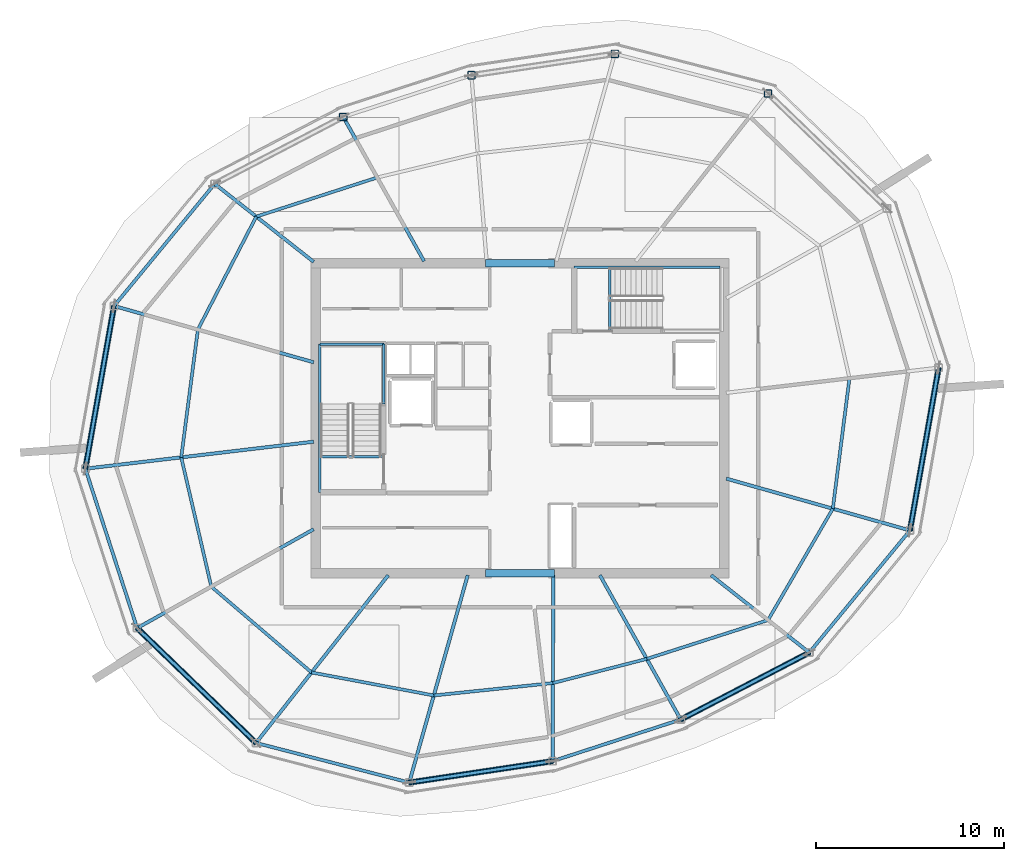
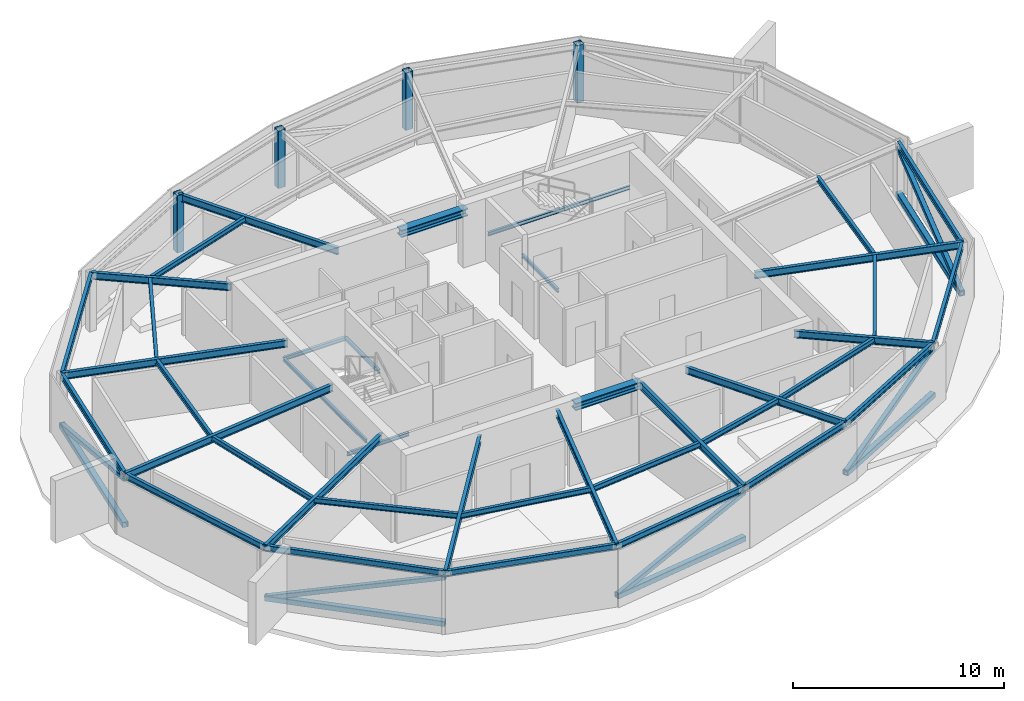
# One storey, part 4 of 10: 40 beams, 10 members, 4 columns.
"""IFC4 building model written with IfcOpenShell, lengths in metres."""

from ifc_helpers import new_model, si_unit, direction, frame, origin, origin_2d, place, context, subcontext, project, spatial, hollow_rectangle, i_section, extrude, material, material_profile, profile_set, type_object, element, save


model = new_model("IFC4")

# Units and contexts
model_context = context("Model", 3, precision=1e-05, world=origin(), true_north=direction((0.0, 1.0)))
body_context = subcontext(model_context, "Body", "Model", "MODEL_VIEW")
ifc_project = project(units=[si_unit("LENGTHUNIT", "METRE"), si_unit("AREAUNIT", "SQUARE_METRE"), si_unit("VOLUMEUNIT", "CUBIC_METRE"), si_unit("PLANEANGLEUNIT", "RADIAN"), si_unit("MASSUNIT", "GRAM", prefix="KILO")], contexts=[model_context])

# Site, building, storey
site_placement = place(None, origin())
site = spatial("IfcSite", under=ifc_project, at=site_placement, CompositionType="ELEMENT")
building_placement = place(site_placement, origin())
building = spatial("IfcBuilding", under=site, at=building_placement, Name="Kazma Halo Residences", CompositionType="ELEMENT")
storey_placement = place(building_placement, frame((0.0, 0.0, 359.60009765625)))
storey = spatial("IfcBuildingStorey", under=building, at=storey_placement, Name="L90", CompositionType="ELEMENT", Elevation=359.60009765625)

# Columns
ifc_material = material(Name="Steel S355", Category="steel")
ifc_material_profile_1 = material_profile(ifc_material, hollow_rectangle(XDim=0.39990234375, YDim=0.39990234375, WallThickness=0.02001953125, InnerFilletRadius=0.02001953125, OuterFilletRadius=0.0400390625, at=origin_2d()), Name="SHS400x400x20")
ifc_profile_set_1 = profile_set([ifc_material_profile_1], Name="Steel S355")
column_type = type_object("IfcColumnType", Name="COL-CROWN-SHS400", PredefinedType="COLUMN", material=ifc_profile_set_1)
for number, where, z_axis, x_axis, name in (
    (1, (61.617431640625, 59.273681640625, 0.0), (0.0, 0.0, 1.0), (1.0, 0.0, 0.0), "L90 CROWN FRAME perimeter column P02"),
    (2, (53.46630859375, 61.38232421875, 0.0), (0.0, 0.0, 1.0), (1.0, 0.0, 0.0), "L90 CROWN FRAME perimeter column P03"),
    (3, (45.8408203125, 60.24365234375, 0.0), (0.0, 0.0, 1.0), (1.0, 0.0, 0.0), "L90 CROWN FRAME perimeter column P04"),
    (4, (39.0234375, 58.02880859375, 0.0), (0.0, 0.0, 1.0), (1.0, 0.0, 0.0), "L90 CROWN FRAME perimeter column P05"),
):
    element("IfcColumn", number, at=place(storey_placement, frame(where, z_axis=z_axis, x_axis=x_axis)), inside=storey, type_object=column_type, Name=name, PredefinedType="COLUMN", context=body_context, shape_type="SweptSolid", body=[
        extrude(hollow_rectangle(XDim=0.39990234375, YDim=0.39990234375, WallThickness=0.02001953125, InnerFilletRadius=0.02001953125, OuterFilletRadius=0.0400390625, at=origin_2d()), origin(), (0.0, 0.0, 1.0), 3.31982421875),
    ])

# Beams
ifc_material_profile_2 = material_profile(ifc_material, i_section(OverallWidth=0.408935546875, OverallDepth=0.425048828125, WebThickness=0.03271484375, FlangeThickness=0.052490234375, FilletRadius=0.02001953125, at=origin_2d()), Name="W360x421")
ifc_profile_set_2 = profile_set([ifc_material_profile_2], Name="Steel S355")
beam_type_1 = type_object("IfcBeamType", Name="BM-CORE-W360H", PredefinedType="BEAM", material=ifc_profile_set_2)
for number, where, z_axis, x_axis, name in (
    (5, (46.60009765625, 33.75, 3.107421875), (1.0, 0.0, 0.0), (0.0, 1.0, 0.0), "L90 core coupling beam S"),
    (6, (46.60009765625, 50.25, 3.107421875), (1.0, 0.0, 0.0), (0.0, 1.0, 0.0), "L90 core coupling beam N"),
):
    element("IfcBeam", number, at=place(storey_placement, frame(where, z_axis=z_axis, x_axis=x_axis)), inside=storey, type_object=beam_type_1, Name=name, PredefinedType="BEAM", context=body_context, shape_type="SweptSolid", body=[
        extrude(i_section(OverallWidth=0.408935546875, OverallDepth=0.425048828125, WebThickness=0.03271484375, FlangeThickness=0.052490234375, FilletRadius=0.02001953125, at=origin_2d()), origin(), (0.0, 0.0, 1.0), 3.64990234375),
    ])
ifc_material_profile_3 = material_profile(ifc_material, i_section(OverallWidth=0.177978515625, OverallDepth=0.406982421875, WebThickness=0.0078125, FlangeThickness=0.0126953125, FilletRadius=0.013916015625, at=origin_2d()), Name="W410x60")
ifc_profile_set_3 = profile_set([ifc_material_profile_3], Name="Steel S355")
beam_type_2 = type_object("IfcBeamType", Name="BM-RAD-W410", PredefinedType="BEAM", material=ifc_profile_set_3)
beam_1_placement = place(storey_placement, frame((43.32373046875, 50.35009765625, 3.116455078125), z_axis=(-0.488621952621, 0.872495608824, 0.0), x_axis=(-0.872495608824, -0.488621952621, 0.0)))
element("IfcBeam", 7, at=beam_1_placement, inside=storey, type_object=beam_type_2, Name="L90 radial floor beam 05", PredefinedType="BEAM", context=body_context, shape_type="SweptSolid", body=[
    extrude(i_section(OverallWidth=0.177978515625, OverallDepth=0.406982421875, WebThickness=0.0078125, FlangeThickness=0.0126953125, FilletRadius=0.013916015625, at=origin_2d()), origin(), (0.0, 0.0, 1.0), 8.80078125),
])
beam_2_placement = place(storey_placement, frame((37.449951171875, 50.31689453125, 3.116455078125), z_axis=(-0.785321596803, 0.619088030569, 0.0), x_axis=(-0.619088030569, -0.785321596803, 0.0)))
element("IfcBeam", 8, at=beam_2_placement, inside=storey, type_object=beam_type_2, Name="L90 radial floor beam 06", PredefinedType="BEAM", context=body_context, shape_type="SweptSolid", body=[
    extrude(i_section(OverallWidth=0.177978515625, OverallDepth=0.406982421875, WebThickness=0.0078125, FlangeThickness=0.0126953125, FilletRadius=0.013916015625, at=origin_2d()), origin(), (0.0, 0.0, 1.0), 6.704345703125),
])
beam_3_placement = place(storey_placement, frame((37.449951171875, 44.975341796875, 3.116455078125), z_axis=(-0.962455160106, 0.271440720572, 0.0), x_axis=(-0.271440720572, -0.962455160106, 0.0)))
element("IfcBeam", 9, at=beam_3_placement, inside=storey, type_object=beam_type_2, Name="L90 radial floor beam 07", PredefinedType="BEAM", context=body_context, shape_type="SweptSolid", body=[
    extrude(i_section(OverallWidth=0.177978515625, OverallDepth=0.406982421875, WebThickness=0.0078125, FlangeThickness=0.0126953125, FilletRadius=0.013916015625, at=origin_2d()), origin(), (0.0, 0.0, 1.0), 11.0341796875),
])
beam_4_placement = place(storey_placement, frame((37.449951171875, 40.751220703125, 3.116455078125), z_axis=(-0.993069432883, -0.117529151591, 0.0), x_axis=(0.117529151591, -0.993069432883, 0.0)))
element("IfcBeam", 10, at=beam_4_placement, inside=storey, type_object=beam_type_2, Name="L90 radial floor beam 08", PredefinedType="BEAM", context=body_context, shape_type="SweptSolid", body=[
    extrude(i_section(OverallWidth=0.177978515625, OverallDepth=0.406982421875, WebThickness=0.0078125, FlangeThickness=0.0126953125, FilletRadius=0.013916015625, at=origin_2d()), origin(), (0.0, 0.0, 1.0), 12.23095703125),
])
beam_5_placement = place(storey_placement, frame((37.449951171875, 36.091796875, 3.116455078125), z_axis=(-0.872494798344, -0.488623399832, 0.0), x_axis=(0.488623399832, -0.872494798344, 0.0)))
element("IfcBeam", 11, at=beam_5_placement, inside=storey, type_object=beam_type_2, Name="L90 radial floor beam 09", PredefinedType="BEAM", context=body_context, shape_type="SweptSolid", body=[
    extrude(i_section(OverallWidth=0.177978515625, OverallDepth=0.406982421875, WebThickness=0.0078125, FlangeThickness=0.0126953125, FilletRadius=0.013916015625, at=origin_2d()), origin(), (0.0, 0.0, 1.0), 10.762939453125),
])
beam_6_placement = place(storey_placement, frame((41.41748046875, 33.64990234375, 3.116455078125), z_axis=(-0.619100773028, -0.785311551447, 0.0), x_axis=(0.785311551447, -0.619100773028, 0.0)))
element("IfcBeam", 12, at=beam_6_placement, inside=storey, type_object=beam_type_2, Name="L90 radial floor beam 10", PredefinedType="BEAM", context=body_context, shape_type="SweptSolid", body=[
    extrude(i_section(OverallWidth=0.177978515625, OverallDepth=0.406982421875, WebThickness=0.0078125, FlangeThickness=0.0126953125, FilletRadius=0.013916015625, at=origin_2d()), origin(), (0.0, 0.0, 1.0), 11.363037109375),
])
beam_7_placement = place(storey_placement, frame((45.64501953125, 33.64990234375, 3.116455078125), z_axis=(-0.271433859027, -0.962457095238, 0.0), x_axis=(0.962457095238, -0.271433859027, 0.0)))
element("IfcBeam", 13, at=beam_7_placement, inside=storey, type_object=beam_type_2, Name="L90 radial floor beam 11", PredefinedType="BEAM", context=body_context, shape_type="SweptSolid", body=[
    extrude(i_section(OverallWidth=0.177978515625, OverallDepth=0.406982421875, WebThickness=0.0078125, FlangeThickness=0.0126953125, FilletRadius=0.013916015625, at=origin_2d()), origin(), (0.0, 0.0, 1.0), 11.462646484375),
])
beam_8_placement = place(storey_placement, frame((50.199951171875, 33.64990234375, 3.116455078125), z_axis=(-0.004120979715, -0.999991508727, 0.0), x_axis=(0.999991508727, -0.004120979715, 0.0)))
element("IfcBeam", 14, at=beam_8_placement, inside=storey, type_object=beam_type_2, Name="L90 radial floor beam 12", PredefinedType="BEAM", context=body_context, shape_type="SweptSolid", body=[
    extrude(i_section(OverallWidth=0.177978515625, OverallDepth=0.406982421875, WebThickness=0.0078125, FlangeThickness=0.0126953125, FilletRadius=0.013916015625, at=origin_2d()), origin(), (0.0, 0.0, 1.0), 9.8935546875),
])
beam_9_placement = place(storey_placement, frame((52.67626953125, 33.64990234375, 3.116455078125), z_axis=(0.488621952621, -0.872495608824, 0.0), x_axis=(0.872495608824, 0.488621952621, 0.0)))
element("IfcBeam", 15, at=beam_9_placement, inside=storey, type_object=beam_type_2, Name="L90 radial floor beam 13", PredefinedType="BEAM", context=body_context, shape_type="SweptSolid", body=[
    extrude(i_section(OverallWidth=0.177978515625, OverallDepth=0.406982421875, WebThickness=0.0078125, FlangeThickness=0.0126953125, FilletRadius=0.013916015625, at=origin_2d()), origin(), (0.0, 0.0, 1.0), 8.80078125),
])
beam_10_placement = place(storey_placement, frame((58.591796875, 33.64990234375, 3.116455078125), z_axis=(0.785342950436, -0.619060942234, 0.0), x_axis=(0.619060942234, 0.785342950436, 0.0)))
element("IfcBeam", 16, at=beam_10_placement, inside=storey, type_object=beam_type_2, Name="L90 radial floor beam 14", PredefinedType="BEAM", context=body_context, shape_type="SweptSolid", body=[
    extrude(i_section(OverallWidth=0.177978515625, OverallDepth=0.406982421875, WebThickness=0.0078125, FlangeThickness=0.0126953125, FilletRadius=0.013916015625, at=origin_2d()), origin(), (0.0, 0.0, 1.0), 6.651123046875),
])
beam_11_placement = place(storey_placement, frame((59.39990234375, 38.784912109375, 3.116455078125), z_axis=(0.962456764872, -0.271435030445, 0.0), x_axis=(0.271435030445, 0.962456764872, 0.0)))
element("IfcBeam", 17, at=beam_11_placement, inside=storey, type_object=beam_type_2, Name="L90 radial floor beam 15", PredefinedType="BEAM", context=body_context, shape_type="SweptSolid", body=[
    extrude(i_section(OverallWidth=0.177978515625, OverallDepth=0.406982421875, WebThickness=0.0078125, FlangeThickness=0.0126953125, FilletRadius=0.013916015625, at=origin_2d()), origin(), (0.0, 0.0, 1.0), 10.151123046875),
])
ifc_material_profile_4 = material_profile(ifc_material, i_section(OverallWidth=0.1650390625, OverallDepth=0.31005859375, WebThickness=0.005859375, FlangeThickness=0.009765625, FilletRadius=0.011962890625, at=origin_2d()), Name="W310x38.7")
ifc_profile_set_4 = profile_set([ifc_material_profile_4], Name="Steel S355")
beam_type_3 = type_object("IfcBeamType", Name="BM-SEC-W310B", PredefinedType="JOIST", material=ifc_profile_set_4)
beam_12_placement = place(storey_placement, frame((40.82958984375, 54.8037109375, 3.164794921875), z_axis=(-0.951532506418, -0.307548190094, 0.0), x_axis=(0.307548190094, -0.951532506418, 0.0)))
element("IfcBeam", 18, at=beam_12_placement, inside=storey, type_object=beam_type_3, Name="L90 circumferential floor joist 05", PredefinedType="JOIST", context=body_context, shape_type="SweptSolid", body=[
    extrude(i_section(OverallWidth=0.1650390625, OverallDepth=0.31005859375, WebThickness=0.005859375, FlangeThickness=0.009765625, FilletRadius=0.011962890625, at=origin_2d()), origin(), (0.0, 0.0, 1.0), 6.760986328125),
])
beam_13_placement = place(storey_placement, frame((34.396240234375, 52.724365234375, 3.164794921875), z_axis=(-0.458980181698, -0.888446505316, 0.0), x_axis=(0.888446505316, -0.458980181698, 0.0)))
element("IfcBeam", 19, at=beam_13_placement, inside=storey, type_object=beam_type_3, Name="L90 circumferential floor joist 06", PredefinedType="JOIST", context=body_context, shape_type="SweptSolid", body=[
    extrude(i_section(OverallWidth=0.1650390625, OverallDepth=0.31005859375, WebThickness=0.005859375, FlangeThickness=0.009765625, FilletRadius=0.011962890625, at=origin_2d()), origin(), (0.0, 0.0, 1.0), 6.7666015625),
])
beam_14_placement = place(storey_placement, frame((31.29052734375, 46.712646484375, 3.164794921875), z_axis=(-0.129220381174, -0.991615899978, 0.0), x_axis=(0.991615899978, -0.129220381174, 0.0)))
element("IfcBeam", 20, at=beam_14_placement, inside=storey, type_object=beam_type_3, Name="L90 circumferential floor joist 07", PredefinedType="JOIST", context=body_context, shape_type="SweptSolid", body=[
    extrude(i_section(OverallWidth=0.1650390625, OverallDepth=0.31005859375, WebThickness=0.005859375, FlangeThickness=0.009765625, FilletRadius=0.011962890625, at=origin_2d()), origin(), (0.0, 0.0, 1.0), 6.8525390625),
])
beam_15_placement = place(storey_placement, frame((30.405029296875, 39.91748046875, 3.164794921875), z_axis=(0.22642269465, -0.97402913886, 0.0), x_axis=(0.97402913886, 0.22642269465, 0.0)))
element("IfcBeam", 21, at=beam_15_placement, inside=storey, type_object=beam_type_3, Name="L90 circumferential floor joist 08", PredefinedType="JOIST", context=body_context, shape_type="SweptSolid", body=[
    extrude(i_section(OverallWidth=0.1650390625, OverallDepth=0.31005859375, WebThickness=0.005859375, FlangeThickness=0.009765625, FilletRadius=0.011962890625, at=origin_2d()), origin(), (0.0, 0.0, 1.0), 7.059326171875),
])
beam_16_placement = place(storey_placement, frame((32.00341796875, 33.04150390625, 3.164794921875), z_axis=(0.759582919789, -0.650410476518, 0.0), x_axis=(0.650410476518, 0.759582919789, 0.0)))
element("IfcBeam", 22, at=beam_16_placement, inside=storey, type_object=beam_type_3, Name="L90 circumferential floor joist 09", PredefinedType="JOIST", context=body_context, shape_type="SweptSolid", body=[
    extrude(i_section(OverallWidth=0.1650390625, OverallDepth=0.31005859375, WebThickness=0.005859375, FlangeThickness=0.009765625, FilletRadius=0.011962890625, at=origin_2d()), origin(), (0.0, 0.0, 1.0), 7.02197265625),
])
beam_17_placement = place(storey_placement, frame((37.337158203125, 28.474365234375, 3.164794921875), z_axis=(0.982768028721, -0.184843181435, 0.0), x_axis=(0.184843181435, 0.982768028721, 0.0)))
element("IfcBeam", 23, at=beam_17_placement, inside=storey, type_object=beam_type_3, Name="L90 circumferential floor joist 10", PredefinedType="JOIST", context=body_context, shape_type="SweptSolid", body=[
    extrude(i_section(OverallWidth=0.1650390625, OverallDepth=0.31005859375, WebThickness=0.005859375, FlangeThickness=0.009765625, FilletRadius=0.011962890625, at=origin_2d()), origin(), (0.0, 0.0, 1.0), 6.6171875),
])
beam_18_placement = place(storey_placement, frame((43.84033203125, 27.251220703125, 3.164794921875), z_axis=(0.994612236518, 0.10366532192, 0.0), x_axis=(-0.10366532192, 0.994612236518, 0.0)))
element("IfcBeam", 24, at=beam_18_placement, inside=storey, type_object=beam_type_3, Name="L90 circumferential floor joist 11", PredefinedType="JOIST", context=body_context, shape_type="SweptSolid", body=[
    extrude(i_section(OverallWidth=0.1650390625, OverallDepth=0.31005859375, WebThickness=0.005859375, FlangeThickness=0.009765625, FilletRadius=0.011962890625, at=origin_2d()), origin(), (0.0, 0.0, 1.0), 6.37060546875),
])
beam_19_placement = place(storey_placement, frame((50.176513671875, 27.91162109375, 3.164794921875), z_axis=(0.96846845721, 0.249136202485, 0.0), x_axis=(-0.249136202485, 0.96846845721, 0.0)))
element("IfcBeam", 25, at=beam_19_placement, inside=storey, type_object=beam_type_3, Name="L90 circumferential floor joist 12", PredefinedType="JOIST", context=body_context, shape_type="SweptSolid", body=[
    extrude(i_section(OverallWidth=0.1650390625, OverallDepth=0.31005859375, WebThickness=0.005859375, FlangeThickness=0.009765625, FilletRadius=0.011962890625, at=origin_2d()), origin(), (0.0, 0.0, 1.0), 5.156494140625),
])
beam_20_placement = place(storey_placement, frame((55.17041015625, 29.1962890625, 3.164794921875), z_axis=(0.952375588957, 0.304927429988, 0.0), x_axis=(-0.304927429988, 0.952375588957, 0.0)))
element("IfcBeam", 26, at=beam_20_placement, inside=storey, type_object=beam_type_3, Name="L90 circumferential floor joist 13", PredefinedType="JOIST", context=body_context, shape_type="SweptSolid", body=[
    extrude(i_section(OverallWidth=0.1650390625, OverallDepth=0.31005859375, WebThickness=0.005859375, FlangeThickness=0.009765625, FilletRadius=0.011962890625, at=origin_2d()), origin(), (0.0, 0.0, 1.0), 6.7734375),
])
beam_21_placement = place(storey_placement, frame((61.621337890625, 31.26171875, 3.164794921875), z_axis=(0.502650174973, 0.864489908327, 0.0), x_axis=(-0.864489908327, 0.502650174973, 0.0)))
element("IfcBeam", 27, at=beam_21_placement, inside=storey, type_object=beam_type_3, Name="L90 circumferential floor joist 14", PredefinedType="JOIST", context=body_context, shape_type="SweptSolid", body=[
    extrude(i_section(OverallWidth=0.1650390625, OverallDepth=0.31005859375, WebThickness=0.005859375, FlangeThickness=0.009765625, FilletRadius=0.011962890625, at=origin_2d()), origin(), (0.0, 0.0, 1.0), 6.853759765625),
])
beam_22_placement = place(storey_placement, frame((65.06640625, 37.186767578125, 3.164794921875), z_axis=(0.126603386769, 0.991953417484, 0.0), x_axis=(-0.991953417484, 0.126603386769, 0.0)))
element("IfcBeam", 28, at=beam_22_placement, inside=storey, type_object=beam_type_3, Name="L90 circumferential floor joist 15", PredefinedType="JOIST", context=body_context, shape_type="SweptSolid", body=[
    extrude(i_section(OverallWidth=0.1650390625, OverallDepth=0.31005859375, WebThickness=0.005859375, FlangeThickness=0.009765625, FilletRadius=0.011962890625, at=origin_2d()), origin(), (0.0, 0.0, 1.0), 6.994384765625),
])
ifc_material_profile_5 = material_profile(ifc_material, i_section(OverallWidth=0.1708984375, OverallDepth=0.35498046875, WebThickness=0.007080078125, FlangeThickness=0.01171875, FilletRadius=0.013916015625, at=origin_2d()), Name="W360x51")
ifc_profile_set_5 = profile_set([ifc_material_profile_5], Name="Steel S355")
beam_type_4 = type_object("IfcBeamType", Name="BM-SPN-W360", PredefinedType="BEAM", material=ifc_profile_set_5)
beam_23_placement = place(storey_placement, frame((32.184814453125, 54.467529296875, 3.142333984375), z_axis=(-0.636005014199, -0.77168492399, 0.0), x_axis=(0.77168492399, -0.636005014199, 0.0)))
element("IfcBeam", 29, at=beam_23_placement, inside=storey, type_object=beam_type_4, Name="L90 CROWN FRAME ring beam 06", PredefinedType="BEAM", context=body_context, shape_type="SweptSolid", body=[
    extrude(i_section(OverallWidth=0.1708984375, OverallDepth=0.35498046875, WebThickness=0.007080078125, FlangeThickness=0.01171875, FilletRadius=0.013916015625, at=origin_2d()), origin(), (0.0, 0.0, 1.0), 8.41943359375),
])
beam_24_placement = place(storey_placement, frame((26.830078125, 47.970458984375, 3.142333984375), z_axis=(-0.173642734291, -0.984808712811, 0.0), x_axis=(0.984808712811, -0.173642734291, 0.0)))
element("IfcBeam", 30, at=beam_24_placement, inside=storey, type_object=beam_type_4, Name="L90 CROWN FRAME ring beam 07", PredefinedType="BEAM", context=body_context, shape_type="SweptSolid", body=[
    extrude(i_section(OverallWidth=0.1708984375, OverallDepth=0.35498046875, WebThickness=0.007080078125, FlangeThickness=0.01171875, FilletRadius=0.013916015625, at=origin_2d()), origin(), (0.0, 0.0, 1.0), 8.790283203125),
])
beam_25_placement = place(storey_placement, frame((25.3037109375, 39.313720703125, 3.142333984375), z_axis=(0.309015498459, -0.951057002346, 0.0), x_axis=(0.951057002346, 0.309015498459, 0.0)))
element("IfcBeam", 31, at=beam_25_placement, inside=storey, type_object=beam_type_4, Name="L90 CROWN FRAME ring beam 08", PredefinedType="BEAM", context=body_context, shape_type="SweptSolid", body=[
    extrude(i_section(OverallWidth=0.1708984375, OverallDepth=0.35498046875, WebThickness=0.007080078125, FlangeThickness=0.01171875, FilletRadius=0.013916015625, at=origin_2d()), origin(), (0.0, 0.0, 1.0), 8.91748046875),
])
beam_26_placement = place(storey_placement, frame((28.059326171875, 30.832763671875, 3.142333984375), z_axis=(0.719330630477, -0.694667866003, 0.0), x_axis=(0.694667866003, 0.719330630477, 0.0)))
element("IfcBeam", 32, at=beam_26_placement, inside=storey, type_object=beam_type_4, Name="L90 CROWN FRAME ring beam 09", PredefinedType="BEAM", context=body_context, shape_type="SweptSolid", body=[
    extrude(i_section(OverallWidth=0.1708984375, OverallDepth=0.35498046875, WebThickness=0.007080078125, FlangeThickness=0.01171875, FilletRadius=0.013916015625, at=origin_2d()), origin(), (0.0, 0.0, 1.0), 8.79052734375),
])
beam_27_placement = place(storey_placement, frame((34.382568359375, 24.726318359375, 3.142333984375), z_axis=(0.968129821283, -0.250448895271, 0.0), x_axis=(0.250448895271, 0.968129821283, 0.0)))
element("IfcBeam", 33, at=beam_27_placement, inside=storey, type_object=beam_type_4, Name="L90 CROWN FRAME ring beam 10", PredefinedType="BEAM", context=body_context, shape_type="SweptSolid", body=[
    extrude(i_section(OverallWidth=0.1708984375, OverallDepth=0.35498046875, WebThickness=0.007080078125, FlangeThickness=0.01171875, FilletRadius=0.013916015625, at=origin_2d()), origin(), (0.0, 0.0, 1.0), 8.41943359375),
])
beam_28_placement = place(storey_placement, frame((42.53369140625, 22.61767578125, 3.142333984375), z_axis=(0.989034152337, 0.147686984904, 0.0), x_axis=(-0.147686984904, 0.989034152337, 0.0)))
element("IfcBeam", 34, at=beam_28_placement, inside=storey, type_object=beam_type_4, Name="L90 CROWN FRAME ring beam 11", PredefinedType="BEAM", context=body_context, shape_type="SweptSolid", body=[
    extrude(i_section(OverallWidth=0.1708984375, OverallDepth=0.35498046875, WebThickness=0.007080078125, FlangeThickness=0.01171875, FilletRadius=0.013916015625, at=origin_2d()), origin(), (0.0, 0.0, 1.0), 7.7099609375),
])
beam_29_placement = place(storey_placement, frame((50.1591796875, 23.75634765625, 3.142333984375), z_axis=(0.951067102, 0.308984413026, 0.0), x_axis=(-0.308984413026, 0.951067102, 0.0)))
element("IfcBeam", 35, at=beam_29_placement, inside=storey, type_object=beam_type_4, Name="L90 CROWN FRAME ring beam 12", PredefinedType="BEAM", context=body_context, shape_type="SweptSolid", body=[
    extrude(i_section(OverallWidth=0.1708984375, OverallDepth=0.35498046875, WebThickness=0.007080078125, FlangeThickness=0.01171875, FilletRadius=0.013916015625, at=origin_2d()), origin(), (0.0, 0.0, 1.0), 7.168212890625),
])
beam_30_placement = place(storey_placement, frame((56.9765625, 25.97119140625, 3.142333984375), z_axis=(0.886940838721, 0.461883046461, 0.0), x_axis=(-0.461883046461, 0.886940838721, 0.0)))
element("IfcBeam", 36, at=beam_30_placement, inside=storey, type_object=beam_type_4, Name="L90 CROWN FRAME ring beam 13", PredefinedType="BEAM", context=body_context, shape_type="SweptSolid", body=[
    extrude(i_section(OverallWidth=0.1708984375, OverallDepth=0.35498046875, WebThickness=0.007080078125, FlangeThickness=0.01171875, FilletRadius=0.013916015625, at=origin_2d()), origin(), (0.0, 0.0, 1.0), 7.71044921875),
])
beam_31_placement = place(storey_placement, frame((63.815185546875, 29.532470703125, 3.142333984375), z_axis=(0.636005014199, 0.77168492399, 0.0), x_axis=(-0.77168492399, 0.636005014199, 0.0)))
element("IfcBeam", 37, at=beam_31_placement, inside=storey, type_object=beam_type_4, Name="L90 CROWN FRAME ring beam 14", PredefinedType="BEAM", context=body_context, shape_type="SweptSolid", body=[
    extrude(i_section(OverallWidth=0.1708984375, OverallDepth=0.35498046875, WebThickness=0.007080078125, FlangeThickness=0.01171875, FilletRadius=0.013916015625, at=origin_2d()), origin(), (0.0, 0.0, 1.0), 8.41943359375),
])
beam_32_placement = place(storey_placement, frame((69.169921875, 36.029541015625, 3.142333984375), z_axis=(0.173642734291, 0.984808712811, 0.0), x_axis=(-0.984808712811, 0.173642734291, 0.0)))
element("IfcBeam", 38, at=beam_32_placement, inside=storey, type_object=beam_type_4, Name="L90 CROWN FRAME ring beam 15", PredefinedType="BEAM", context=body_context, shape_type="SweptSolid", body=[
    extrude(i_section(OverallWidth=0.1708984375, OverallDepth=0.35498046875, WebThickness=0.007080078125, FlangeThickness=0.01171875, FilletRadius=0.013916015625, at=origin_2d()), origin(), (0.0, 0.0, 1.0), 8.790283203125),
])
ifc_material_profile_6 = material_profile(ifc_material, i_section(OverallWidth=0.133056640625, OverallDepth=0.20703125, WebThickness=0.005859375, FlangeThickness=0.00830078125, FilletRadius=0.010009765625, at=origin_2d()), Name="W200x26.6")
ifc_profile_set_6 = profile_set([ifc_material_profile_6], Name="Steel S355")
beam_type_5 = type_object("IfcBeamType", Name="BM-TRIM-W200", PredefinedType="BEAM", material=ifc_profile_set_6)
for number, where, z_axis, x_axis, name in (
    (39, (37.800048828125, 39.949951171875, -0.39013671875), (1.0, 0.0, 0.0), (0.0, 1.0, 0.0), "L90 ST-01 floor landing support beam"),
    (40, (53.199951171875, 46.6201171875, -0.39013671875), (0.0, 1.0, 0.0), (-1.0, 0.0, 0.0), "L90 ST-02 floor landing support beam"),
):
    element("IfcBeam", number, at=place(storey_placement, frame(where, z_axis=z_axis, x_axis=x_axis)), inside=storey, type_object=beam_type_5, Name=name, PredefinedType="BEAM", context=body_context, shape_type="SweptSolid", body=[
        extrude(i_section(OverallWidth=0.133056640625, OverallDepth=0.20703125, WebThickness=0.005859375, FlangeThickness=0.00830078125, FilletRadius=0.010009765625, at=origin_2d()), origin(), (0.0, 0.0, 1.0), 3.3798828125),
    ])
beam_33_placement = place(storey_placement, frame((37.780029296875, 38.06005859375, 1.494873046875), z_axis=(0.0, 1.0, 0.0), x_axis=(-1.0, 0.0, 0.0)))
element("IfcBeam", 41, at=beam_33_placement, inside=storey, type_object=beam_type_5, Name="L90 ST-01 landing west wall ledger", PredefinedType="BEAM", context=body_context, shape_type="SweptSolid", body=[
    extrude(i_section(OverallWidth=0.133056640625, OverallDepth=0.20703125, WebThickness=0.005859375, FlangeThickness=0.00830078125, FilletRadius=0.010009765625, at=origin_2d()), origin(), (0.0, 0.0, 1.0), 7.8798828125),
])
beam_34_placement = place(storey_placement, frame((41.179931640625, 42.75, 1.494873046875), z_axis=(0.0, 1.0, 0.0), x_axis=(-1.0, 0.0, 0.0)))
element("IfcBeam", 42, at=beam_34_placement, inside=storey, type_object=beam_type_5, Name="L90 ST-01 landing east wall ledger", PredefinedType="BEAM", context=body_context, shape_type="SweptSolid", body=[
    extrude(i_section(OverallWidth=0.133056640625, OverallDepth=0.20703125, WebThickness=0.005859375, FlangeThickness=0.00830078125, FilletRadius=0.010009765625, at=origin_2d()), origin(), (0.0, 0.0, 1.0), 3.18994140625),
])
beam_35_placement = place(storey_placement, frame((37.780029296875, 45.93994140625, 1.494873046875), z_axis=(1.0, 0.0, 0.0), x_axis=(0.0, 1.0, 0.0)))
element("IfcBeam", 43, at=beam_35_placement, inside=storey, type_object=beam_type_5, Name="L90 ST-01 landing end wall ledger", PredefinedType="BEAM", context=body_context, shape_type="SweptSolid", body=[
    extrude(i_section(OverallWidth=0.133056640625, OverallDepth=0.20703125, WebThickness=0.005859375, FlangeThickness=0.00830078125, FilletRadius=0.010009765625, at=origin_2d()), origin(), (0.0, 0.0, 1.0), 3.39990234375),
])
beam_36_placement = place(storey_placement, frame((51.31005859375, 50.02001953125, 1.494873046875), z_axis=(1.0, 0.0, 0.0), x_axis=(0.0, 1.0, 0.0)))
element("IfcBeam", 44, at=beam_36_placement, inside=storey, type_object=beam_type_5, Name="L90 ST-02 landing north wall ledger", PredefinedType="BEAM", context=body_context, shape_type="SweptSolid", body=[
    extrude(i_section(OverallWidth=0.133056640625, OverallDepth=0.20703125, WebThickness=0.005859375, FlangeThickness=0.00830078125, FilletRadius=0.010009765625, at=origin_2d()), origin(), (0.0, 0.0, 1.0), 7.760009765625),
])

# Members
ifc_material_profile_7 = material_profile(ifc_material, hollow_rectangle(XDim=0.25, YDim=0.25, WallThickness=0.010009765625, InnerFilletRadius=0.010009765625, OuterFilletRadius=0.02001953125, at=origin_2d()), Name="SHS250x250x10")
ifc_profile_set_7 = profile_set([ifc_material_profile_7], Name="Steel S355")
member_type_1 = type_object("IfcMemberType", Name="MBR-CRWN-SHS250", PredefinedType="BRACE", material=ifc_profile_set_7)
for number, where, z_axis, x_axis, name in (
    (45, (26.830078125, 47.970458984375, 0.27978515625), (-0.166199020528, -0.942591949757, 0.289652035776), (0.984808712811, -0.173642734291, 0.0), "L90 CROWN FRAME diagonal brace 07"),
    (46, (28.059326171875, 30.832763671875, 0.27978515625), (0.688495555303, -0.664889993407, 0.289646624347), (0.694667866003, 0.719330630477, 0.0), "L90 CROWN FRAME diagonal brace 09"),
):
    element("IfcMember", number, at=place(storey_placement, frame(where, z_axis=z_axis, x_axis=x_axis)), inside=storey, type_object=member_type_1, Name=name, PredefinedType="BRACE", context=body_context, shape_type="SweptSolid", body=[
        extrude(hollow_rectangle(XDim=0.25, YDim=0.25, WallThickness=0.010009765625, InnerFilletRadius=0.010009765625, OuterFilletRadius=0.02001953125, at=origin_2d()), origin(), (0.0, 0.0, 1.0), 9.18408203125),
    ])
member_1_placement = place(storey_placement, frame((42.53369140625, 22.61767578125, 0.27978515625), z_axis=(0.934949220424, 0.13961078197, 0.326157607279), x_axis=(-0.147686984904, 0.989034152337, 0.0)))
element("IfcMember", 47, at=member_1_placement, inside=storey, type_object=member_type_1, Name="L90 CROWN FRAME diagonal brace 11", PredefinedType="BRACE", context=body_context, shape_type="SweptSolid", body=[
    extrude(hollow_rectangle(XDim=0.25, YDim=0.25, WallThickness=0.010009765625, InnerFilletRadius=0.010009765625, OuterFilletRadius=0.02001953125, at=origin_2d()), origin(), (0.0, 0.0, 1.0), 8.156005859375),
])
member_2_placement = place(storey_placement, frame((56.9765625, 25.97119140625, 0.27978515625), z_axis=(0.838442461731, 0.436627046135, 0.326145766414), x_axis=(-0.461883046461, 0.886940838721, 0.0)))
element("IfcMember", 48, at=member_2_placement, inside=storey, type_object=member_type_1, Name="L90 CROWN FRAME diagonal brace 13", PredefinedType="BRACE", context=body_context, shape_type="SweptSolid", body=[
    extrude(hollow_rectangle(XDim=0.25, YDim=0.25, WallThickness=0.010009765625, InnerFilletRadius=0.010009765625, OuterFilletRadius=0.02001953125, at=origin_2d()), origin(), (0.0, 0.0, 1.0), 8.15625),
])
member_3_placement = place(storey_placement, frame((69.169921875, 36.029541015625, 0.27978515625), z_axis=(0.166199020528, 0.942591949757, 0.289652035776), x_axis=(-0.984808712811, 0.173642734291, 0.0)))
element("IfcMember", 49, at=member_3_placement, inside=storey, type_object=member_type_1, Name="L90 CROWN FRAME diagonal brace 15", PredefinedType="BRACE", context=body_context, shape_type="SweptSolid", body=[
    extrude(hollow_rectangle(XDim=0.25, YDim=0.25, WallThickness=0.010009765625, InnerFilletRadius=0.010009765625, OuterFilletRadius=0.02001953125, at=origin_2d()), origin(), (0.0, 0.0, 1.0), 9.18408203125),
])
ifc_material_profile_8 = material_profile(ifc_material, hollow_rectangle(XDim=0.300048828125, YDim=0.300048828125, WallThickness=0.012451171875, InnerFilletRadius=0.012451171875, OuterFilletRadius=0.02490234375, at=origin_2d()), Name="SHS300x300x12.5")
ifc_profile_set_8 = profile_set([ifc_material_profile_8], Name="Steel S355")
member_type_2 = type_object("IfcMemberType", Name="MBR-CRWN-SHS300", PredefinedType="CHORD", material=ifc_profile_set_8)
member_4_placement = place(storey_placement, frame((26.830078125, 47.970458984375, 0.27978515625), z_axis=(-0.173642734291, -0.984808712811, 0.0), x_axis=(0.984808712811, -0.173642734291, 0.0)))
element("IfcMember", 50, at=member_4_placement, inside=storey, type_object=member_type_2, Name="L90 CROWN FRAME horizontal ring chord 07", PredefinedType="CHORD", context=body_context, shape_type="SweptSolid", body=[
    extrude(hollow_rectangle(XDim=0.300048828125, YDim=0.300048828125, WallThickness=0.012451171875, InnerFilletRadius=0.012451171875, OuterFilletRadius=0.02490234375, at=origin_2d()), origin(), (0.0, 0.0, 1.0), 8.790283203125),
])
member_5_placement = place(storey_placement, frame((28.059326171875, 30.832763671875, 0.27978515625), z_axis=(0.719330630477, -0.694667866003, 0.0), x_axis=(0.694667866003, 0.719330630477, 0.0)))
element("IfcMember", 51, at=member_5_placement, inside=storey, type_object=member_type_2, Name="L90 CROWN FRAME horizontal ring chord 09", PredefinedType="CHORD", context=body_context, shape_type="SweptSolid", body=[
    extrude(hollow_rectangle(XDim=0.300048828125, YDim=0.300048828125, WallThickness=0.012451171875, InnerFilletRadius=0.012451171875, OuterFilletRadius=0.02490234375, at=origin_2d()), origin(), (0.0, 0.0, 1.0), 8.79052734375),
])
member_6_placement = place(storey_placement, frame((42.53369140625, 22.61767578125, 0.27978515625), z_axis=(0.989034152337, 0.147686984904, 0.0), x_axis=(-0.147686984904, 0.989034152337, 0.0)))
element("IfcMember", 52, at=member_6_placement, inside=storey, type_object=member_type_2, Name="L90 CROWN FRAME horizontal ring chord 11", PredefinedType="CHORD", context=body_context, shape_type="SweptSolid", body=[
    extrude(hollow_rectangle(XDim=0.300048828125, YDim=0.300048828125, WallThickness=0.012451171875, InnerFilletRadius=0.012451171875, OuterFilletRadius=0.02490234375, at=origin_2d()), origin(), (0.0, 0.0, 1.0), 7.7099609375),
])
member_7_placement = place(storey_placement, frame((56.9765625, 25.97119140625, 0.27978515625), z_axis=(0.886940838721, 0.461883046461, 0.0), x_axis=(-0.461883046461, 0.886940838721, 0.0)))
element("IfcMember", 53, at=member_7_placement, inside=storey, type_object=member_type_2, Name="L90 CROWN FRAME horizontal ring chord 13", PredefinedType="CHORD", context=body_context, shape_type="SweptSolid", body=[
    extrude(hollow_rectangle(XDim=0.300048828125, YDim=0.300048828125, WallThickness=0.012451171875, InnerFilletRadius=0.012451171875, OuterFilletRadius=0.02490234375, at=origin_2d()), origin(), (0.0, 0.0, 1.0), 7.71044921875),
])
member_8_placement = place(storey_placement, frame((69.169921875, 36.029541015625, 0.27978515625), z_axis=(0.173642734291, 0.984808712811, 0.0), x_axis=(-0.984808712811, 0.173642734291, 0.0)))
element("IfcMember", 54, at=member_8_placement, inside=storey, type_object=member_type_2, Name="L90 CROWN FRAME horizontal ring chord 15", PredefinedType="CHORD", context=body_context, shape_type="SweptSolid", body=[
    extrude(hollow_rectangle(XDim=0.300048828125, YDim=0.300048828125, WallThickness=0.012451171875, InnerFilletRadius=0.012451171875, OuterFilletRadius=0.02490234375, at=origin_2d()), origin(), (0.0, 0.0, 1.0), 8.790283203125),
])

save(model, "model.ifc")
